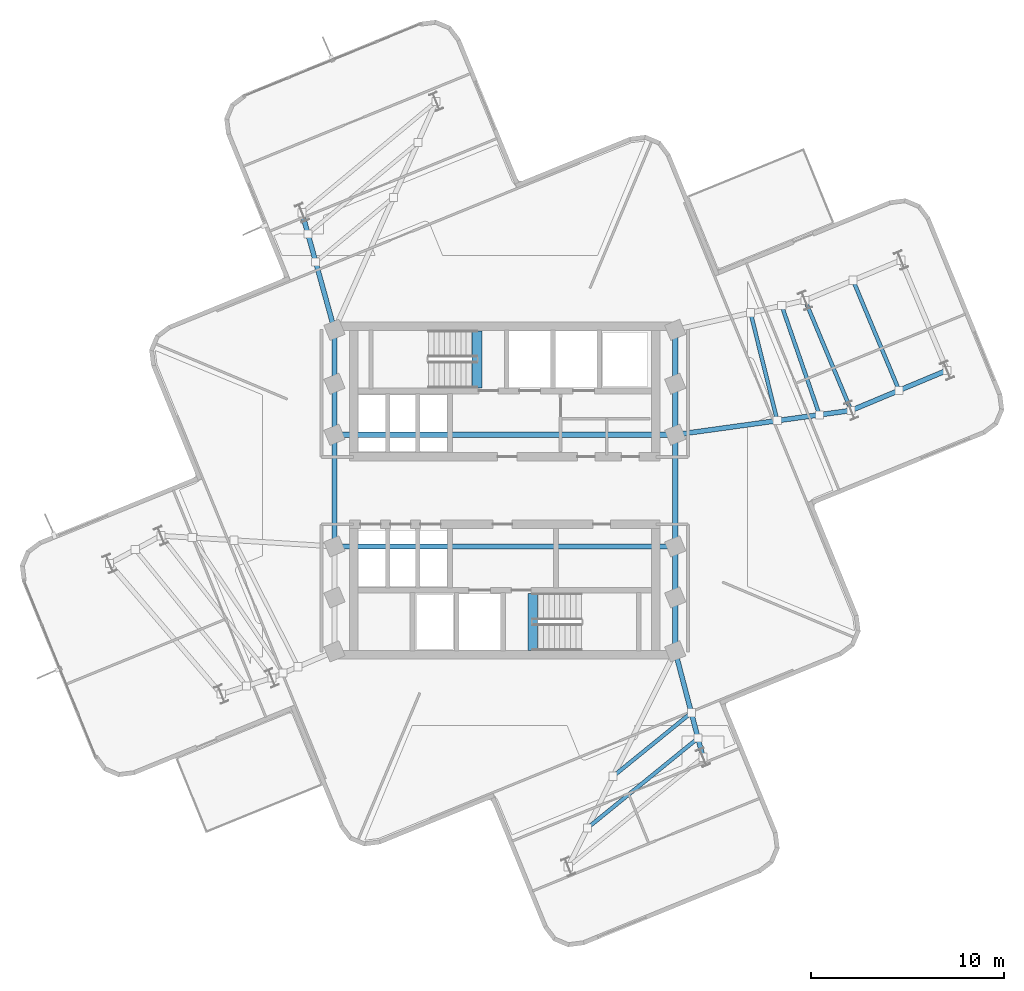
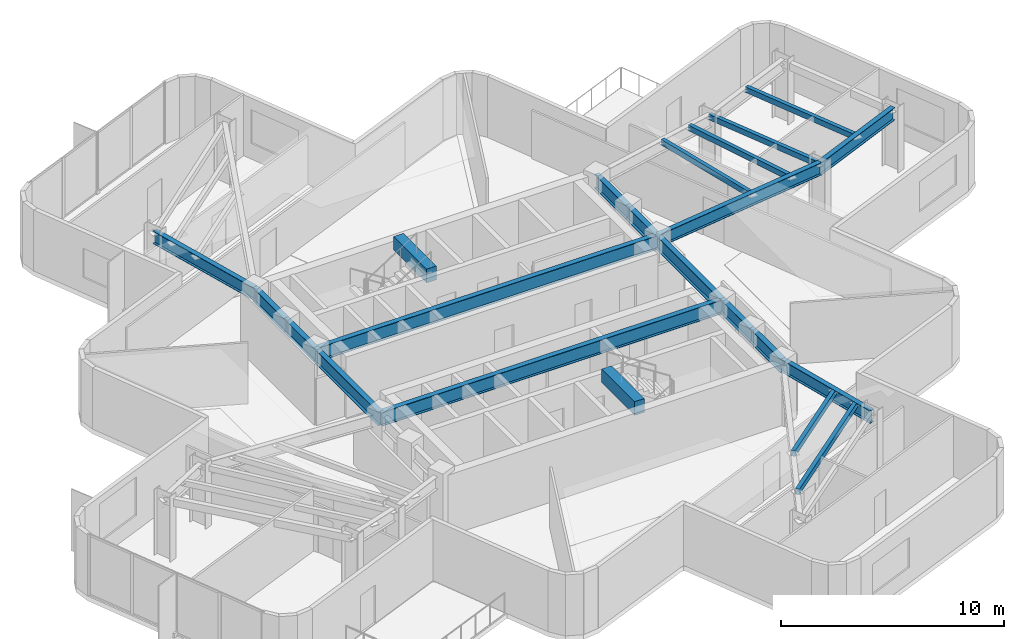
# One storey, part 3 of 11: 22 beams.
"""IFC4 building model written with IfcOpenShell, lengths in metres."""

from ifc_helpers import new_model, si_unit, direction, frame, origin, origin_2d, place, context, subcontext, project, spatial, rectangle, hollow_rectangle, i_section, extrude, material, material_profile, profile_set, type_object, element, save


model = new_model("IFC4")

# Units and contexts
model_context = context("Model", 3, precision=1e-05, world=origin(), true_north=direction((0.0, 1.0)))
body_context = subcontext(model_context, "Body", "Model", "MODEL_VIEW")
ifc_project = project(units=[si_unit("LENGTHUNIT", "METRE"), si_unit("AREAUNIT", "SQUARE_METRE"), si_unit("VOLUMEUNIT", "CUBIC_METRE"), si_unit("PLANEANGLEUNIT", "RADIAN"), si_unit("MASSUNIT", "GRAM", prefix="KILO")], contexts=[model_context])

# Site, building, storey
site_placement = place(None, origin())
site = spatial("IfcSite", under=ifc_project, at=site_placement, CompositionType="ELEMENT")
building_placement = place(site_placement, origin())
building = spatial("IfcBuilding", under=site, at=building_placement, Name="Solmarez Civic Tower", CompositionType="ELEMENT")
storey_placement = place(building_placement, frame((0.0, 0.0, 177.47998046875)))
storey = spatial("IfcBuildingStorey", under=building, at=storey_placement, Name="L47", CompositionType="ELEMENT", Elevation=177.47998046875)

# Beams
ifc_material_1 = material(Name="Steel S355", Category="steel")
ifc_material_profile_1 = material_profile(ifc_material_1, hollow_rectangle(XDim=0.199951171875, YDim=0.300048828125, WallThickness=0.011962890625, at=origin_2d()), Name="HSS300X200X12")
ifc_profile_set_1 = profile_set([ifc_material_profile_1], Name="Steel S355")
beam_type_1 = type_object("IfcBeamType", Name="BM-JS-HSS300X200", PredefinedType="JOIST", material=ifc_profile_set_1)
beam_1_placement = place(storey_placement, frame((17.987060546875, 4.1640625, 3.18994140625), z_axis=(-0.386010282684, 0.922494477849, 0.0), x_axis=(-0.922494477849, -0.386010282684, 0.0)))
element("IfcBeam", 1, at=beam_1_placement, inside=storey, type_object=beam_type_1, Name="L47 Secondary Floor Joist BM-L47-EA-T1", PredefinedType="JOIST", context=body_context, shape_type="SweptSolid", body=[
    extrude(hollow_rectangle(XDim=0.199951171875, YDim=0.300048828125, WallThickness=0.011962890625, at=origin_2d()), origin(), (0.0, 0.0, 1.0), 6.199462890625),
])
beam_2_placement = place(storey_placement, frame((20.47705078125, 5.2060546875, 3.18994140625), z_axis=(-0.385876218946, 0.922550564279, 0.0), x_axis=(-0.922550564279, -0.385876218946, 0.0)))
element("IfcBeam", 2, at=beam_2_placement, inside=storey, type_object=beam_type_1, Name="L47 Secondary Floor Joist JS-L47-EA-M2", PredefinedType="JOIST", context=body_context, shape_type="SweptSolid", body=[
    extrude(hollow_rectangle(XDim=0.199951171875, YDim=0.300048828125, WallThickness=0.011962890625, at=origin_2d()), origin(), (0.0, 0.0, 1.0), 6.19921875),
])
beam_3_placement = place(storey_placement, frame((14.14892578125, 3.633056640625, 3.18994140625), z_axis=(-0.240167471374, 0.970731469405, 0.0), x_axis=(-0.970731469405, -0.240167471374, 0.0)))
element("IfcBeam", 3, at=beam_3_placement, inside=storey, type_object=beam_type_1, Name="L47 Secondary Floor Joist JS-L47-EA-M11", PredefinedType="JOIST", context=body_context, shape_type="SweptSolid", body=[
    extrude(hollow_rectangle(XDim=0.199951171875, YDim=0.300048828125, WallThickness=0.011962890625, at=origin_2d()), origin(), (0.0, 0.0, 1.0), 5.77490234375),
])
beam_4_placement = place(storey_placement, frame((16.342041015625, 3.93603515625, 3.18994140625), z_axis=(-0.326984797789, 0.945029598486, 0.0), x_axis=(-0.945029598486, -0.326984797789, 0.0)))
element("IfcBeam", 4, at=beam_4_placement, inside=storey, type_object=beam_type_1, Name="L47 Secondary Floor Joist JS-L47-EA-M12", PredefinedType="JOIST", context=body_context, shape_type="SweptSolid", body=[
    extrude(hollow_rectangle(XDim=0.199951171875, YDim=0.300048828125, WallThickness=0.011962890625, at=origin_2d()), origin(), (0.0, 0.0, 1.0), 6.000732421875),
])
beam_5_placement = place(storey_placement, frame((5.625, -14.837890625, 3.18994140625), z_axis=(0.776202509922, 0.630483674325, 0.0), x_axis=(-0.630483674325, 0.776202509922, 0.0)))
element("IfcBeam", 5, at=beam_5_placement, inside=storey, type_object=beam_type_1, Name="L47 Secondary Floor Joist JS-L47-SA-M11", PredefinedType="JOIST", context=body_context, shape_type="SweptSolid", body=[
    extrude(hollow_rectangle(XDim=0.199951171875, YDim=0.300048828125, WallThickness=0.011962890625, at=origin_2d()), origin(), (0.0, 0.0, 1.0), 5.230712890625),
])
beam_6_placement = place(storey_placement, frame((4.291015625, -17.52294921875, 3.18994140625), z_axis=(0.776173575786, 0.630519294115, 0.0), x_axis=(-0.630519294115, 0.776173575786, 0.0)))
element("IfcBeam", 6, at=beam_6_placement, inside=storey, type_object=beam_type_1, Name="L47 Secondary Floor Joist JS-L47-SA-M12", PredefinedType="JOIST", context=body_context, shape_type="SweptSolid", body=[
    extrude(hollow_rectangle(XDim=0.199951171875, YDim=0.300048828125, WallThickness=0.011962890625, at=origin_2d()), origin(), (0.0, 0.0, 1.0), 7.395263671875),
])
ifc_material_2 = material(Name="Concrete C50/60", Category="concrete")
ifc_material_profile_2 = material_profile(ifc_material_2, rectangle(XDim=0.5, YDim=0.75, at=origin_2d()), Name="RC500X750")
ifc_profile_set_2 = profile_set([ifc_material_profile_2], Name="Concrete C50/60")
beam_type_2 = type_object("IfcBeamType", Name="BM-PR-RC500X750", PredefinedType="BEAM", material=ifc_profile_set_2)
for number, where, z_axis, x_axis, name in (
    (7, (-1.449951171875, 5.340087890625, 3.23291015625), (0.0, 1.0, 0.0), (-1.0, 0.0, 0.0), "L47 North Stair Threshold Beam"),
    (8, (1.449951171875, -8.300048828125, 3.23291015625), (0.0, 1.0, 0.0), (-1.0, 0.0, 0.0), "L47 South Stair Threshold Beam"),
):
    element("IfcBeam", number, at=place(storey_placement, frame(where, z_axis=z_axis, x_axis=x_axis)), inside=storey, type_object=beam_type_2, Name=name, PredefinedType="BEAM", context=body_context, shape_type="SweptSolid", body=[
        extrude(rectangle(XDim=0.5, YDim=0.75, at=origin_2d()), origin(), (0.0, 0.0, 1.0), 2.9599609375),
    ])
ifc_material_profile_3 = material_profile(ifc_material_1, i_section(OverallWidth=0.25390625, OverallDepth=0.68798828125, WebThickness=0.01318359375, FlangeThickness=0.02099609375, at=origin_2d()), Name="W27X102")
ifc_profile_set_3 = profile_set([ifc_material_profile_3], Name="Steel S355")
beam_type_3 = type_object("IfcBeamType", Name="BM-PR-W27X102", PredefinedType="BEAM", material=ifc_profile_set_3)
beam_7_placement = place(storey_placement, frame((8.85009765625, 2.89990234375, 2.99609375), z_axis=(0.990563968355, 0.137051175101, 0.0), x_axis=(-0.137051175101, 0.990563968355, 0.0)))
element("IfcBeam", 9, at=beam_7_placement, inside=storey, type_object=beam_type_3, Name="L47 Primary Floor Beam BM-L47-EA-R1A", PredefinedType="BEAM", context=body_context, shape_type="SweptSolid", body=[
    extrude(i_section(OverallWidth=0.25390625, OverallDepth=0.68798828125, WebThickness=0.01318359375, FlangeThickness=0.02099609375, at=origin_2d()), origin(), (0.0, 0.0, 1.0), 9.22412109375),
])
beam_8_placement = place(storey_placement, frame((17.987060546875, 4.1640625, 2.99609375), z_axis=(0.922511388683, 0.385969866376, 0.0), x_axis=(-0.385969866376, 0.922511388683, 0.0)))
element("IfcBeam", 10, at=beam_8_placement, inside=storey, type_object=beam_type_3, Name="L47 Primary Floor Beam BM-L47-EA-R2A", PredefinedType="BEAM", context=body_context, shape_type="SweptSolid", body=[
    extrude(i_section(OverallWidth=0.25390625, OverallDepth=0.68798828125, WebThickness=0.01318359375, FlangeThickness=0.02099609375, at=origin_2d()), origin(), (0.0, 0.0, 1.0), 5.3994140625),
])
beam_9_placement = place(storey_placement, frame((-8.85009765625, 8.35009765625, 2.99609375), z_axis=(-0.266634219494, 0.963797796737, 0.0), x_axis=(-0.963797796737, -0.266634219494, 0.0)))
element("IfcBeam", 11, at=beam_9_placement, inside=storey, type_object=beam_type_3, Name="L47 Primary Floor Beam BM-L47-NA-R1B", PredefinedType="BEAM", context=body_context, shape_type="SweptSolid", body=[
    extrude(i_section(OverallWidth=0.25390625, OverallDepth=0.68798828125, WebThickness=0.01318359375, FlangeThickness=0.02099609375, at=origin_2d()), origin(), (0.0, 0.0, 1.0), 6.3115234375),
])
beam_10_placement = place(storey_placement, frame((8.85009765625, -8.35009765625, 2.99609375), z_axis=(0.253271365575, -0.967395273598, 0.0), x_axis=(0.967395273598, 0.253271365575, 0.0)))
element("IfcBeam", 12, at=beam_10_placement, inside=storey, type_object=beam_type_3, Name="L47 Primary Floor Beam BM-L47-SA-R1B", PredefinedType="BEAM", context=body_context, shape_type="SweptSolid", body=[
    extrude(i_section(OverallWidth=0.25390625, OverallDepth=0.68798828125, WebThickness=0.01318359375, FlangeThickness=0.02099609375, at=origin_2d()), origin(), (0.0, 0.0, 1.0), 5.685302734375),
])
ifc_material_profile_4 = material_profile(ifc_material_1, i_section(OverallWidth=0.26708984375, OverallDepth=0.761962890625, WebThickness=0.014404296875, FlangeThickness=0.021484375, at=origin_2d()), Name="W30X116")
ifc_profile_set_4 = profile_set([ifc_material_profile_4], Name="Steel S355")
beam_type_4 = type_object("IfcBeamType", Name="BM-PR-W30X116", PredefinedType="BEAM", material=ifc_profile_set_4)
beam_11_placement = place(storey_placement, frame((-8.85009765625, -2.89990234375, 2.958984375), z_axis=(0.0, 1.0, 0.0), x_axis=(-1.0, 0.0, 0.0)))
element("IfcBeam", 13, at=beam_11_placement, inside=storey, type_object=beam_type_4, Name="L47 Primary Floor Beam BM-L47-HC2-HC3", PredefinedType="BEAM", context=body_context, shape_type="SweptSolid", body=[
    extrude(i_section(OverallWidth=0.26708984375, OverallDepth=0.761962890625, WebThickness=0.014404296875, FlangeThickness=0.021484375, at=origin_2d()), origin(), (0.0, 0.0, 1.0), 5.7998046875),
])
beam_12_placement = place(storey_placement, frame((-8.85009765625, 2.89990234375, 2.958984375), z_axis=(0.0, 1.0, 0.0), x_axis=(-1.0, 0.0, 0.0)))
element("IfcBeam", 14, at=beam_12_placement, inside=storey, type_object=beam_type_4, Name="L47 Primary Floor Beam BM-L47-HC3-HC4", PredefinedType="BEAM", context=body_context, shape_type="SweptSolid", body=[
    extrude(i_section(OverallWidth=0.26708984375, OverallDepth=0.761962890625, WebThickness=0.014404296875, FlangeThickness=0.021484375, at=origin_2d()), origin(), (0.0, 0.0, 1.0), 2.650146484375),
])
for number, where, z_axis, x_axis, name in (
    (15, (-8.85009765625, 5.550048828125, 2.958984375), (0.0, 1.0, 0.0), (-1.0, 0.0, 0.0), "L47 Primary Floor Beam BM-L47-HC4-HC9"),
    (16, (8.85009765625, -8.35009765625, 2.958984375), (0.0, 1.0, 0.0), (-1.0, 0.0, 0.0), "L47 Primary Floor Beam BM-L47-HC10-HC5"),
):
    element("IfcBeam", number, at=place(storey_placement, frame(where, z_axis=z_axis, x_axis=x_axis)), inside=storey, type_object=beam_type_4, Name=name, PredefinedType="BEAM", context=body_context, shape_type="SweptSolid", body=[
        extrude(i_section(OverallWidth=0.26708984375, OverallDepth=0.761962890625, WebThickness=0.014404296875, FlangeThickness=0.021484375, at=origin_2d()), origin(), (0.0, 0.0, 1.0), 2.800048828125),
    ])
beam_13_placement = place(storey_placement, frame((8.85009765625, -5.550048828125, 2.958984375), z_axis=(0.0, 1.0, 0.0), x_axis=(-1.0, 0.0, 0.0)))
element("IfcBeam", 17, at=beam_13_placement, inside=storey, type_object=beam_type_4, Name="L47 Primary Floor Beam BM-L47-HC5-HC6", PredefinedType="BEAM", context=body_context, shape_type="SweptSolid", body=[
    extrude(i_section(OverallWidth=0.26708984375, OverallDepth=0.761962890625, WebThickness=0.014404296875, FlangeThickness=0.021484375, at=origin_2d()), origin(), (0.0, 0.0, 1.0), 2.650146484375),
])
beam_14_placement = place(storey_placement, frame((8.85009765625, -2.89990234375, 2.958984375), z_axis=(0.0, 1.0, 0.0), x_axis=(-1.0, 0.0, 0.0)))
element("IfcBeam", 18, at=beam_14_placement, inside=storey, type_object=beam_type_4, Name="L47 Primary Floor Beam BM-L47-HC6-HC7", PredefinedType="BEAM", context=body_context, shape_type="SweptSolid", body=[
    extrude(i_section(OverallWidth=0.26708984375, OverallDepth=0.761962890625, WebThickness=0.014404296875, FlangeThickness=0.021484375, at=origin_2d()), origin(), (0.0, 0.0, 1.0), 5.7998046875),
])
beam_15_placement = place(storey_placement, frame((8.85009765625, 2.89990234375, 2.958984375), z_axis=(0.0, 1.0, 0.0), x_axis=(-1.0, 0.0, 0.0)))
element("IfcBeam", 19, at=beam_15_placement, inside=storey, type_object=beam_type_4, Name="L47 Primary Floor Beam BM-L47-HC7-HC8", PredefinedType="BEAM", context=body_context, shape_type="SweptSolid", body=[
    extrude(i_section(OverallWidth=0.26708984375, OverallDepth=0.761962890625, WebThickness=0.014404296875, FlangeThickness=0.021484375, at=origin_2d()), origin(), (0.0, 0.0, 1.0), 2.650146484375),
])
beam_16_placement = place(storey_placement, frame((8.85009765625, 5.550048828125, 2.958984375), z_axis=(0.0, 1.0, 0.0), x_axis=(-1.0, 0.0, 0.0)))
element("IfcBeam", 20, at=beam_16_placement, inside=storey, type_object=beam_type_4, Name="L47 Primary Floor Beam BM-L47-HC8-HC11", PredefinedType="BEAM", context=body_context, shape_type="SweptSolid", body=[
    extrude(i_section(OverallWidth=0.26708984375, OverallDepth=0.761962890625, WebThickness=0.014404296875, FlangeThickness=0.021484375, at=origin_2d()), origin(), (0.0, 0.0, 1.0), 2.800048828125),
])
for number, where, z_axis, x_axis, name in (
    (21, (-8.85009765625, -2.89990234375, 2.958984375), (1.0, 0.0, 0.0), (0.0, 1.0, 0.0), "L47 Primary Floor Beam BM-L47-HC2-HC6"),
    (22, (-8.85009765625, 2.89990234375, 2.958984375), (1.0, 0.0, 0.0), (0.0, 1.0, 0.0), "L47 Primary Floor Beam BM-L47-HC3-HC7"),
):
    element("IfcBeam", number, at=place(storey_placement, frame(where, z_axis=z_axis, x_axis=x_axis)), inside=storey, type_object=beam_type_4, Name=name, PredefinedType="BEAM", context=body_context, shape_type="SweptSolid", body=[
        extrude(i_section(OverallWidth=0.26708984375, OverallDepth=0.761962890625, WebThickness=0.014404296875, FlangeThickness=0.021484375, at=origin_2d()), origin(), (0.0, 0.0, 1.0), 17.7001953125),
    ])

save(model, "model.ifc")
